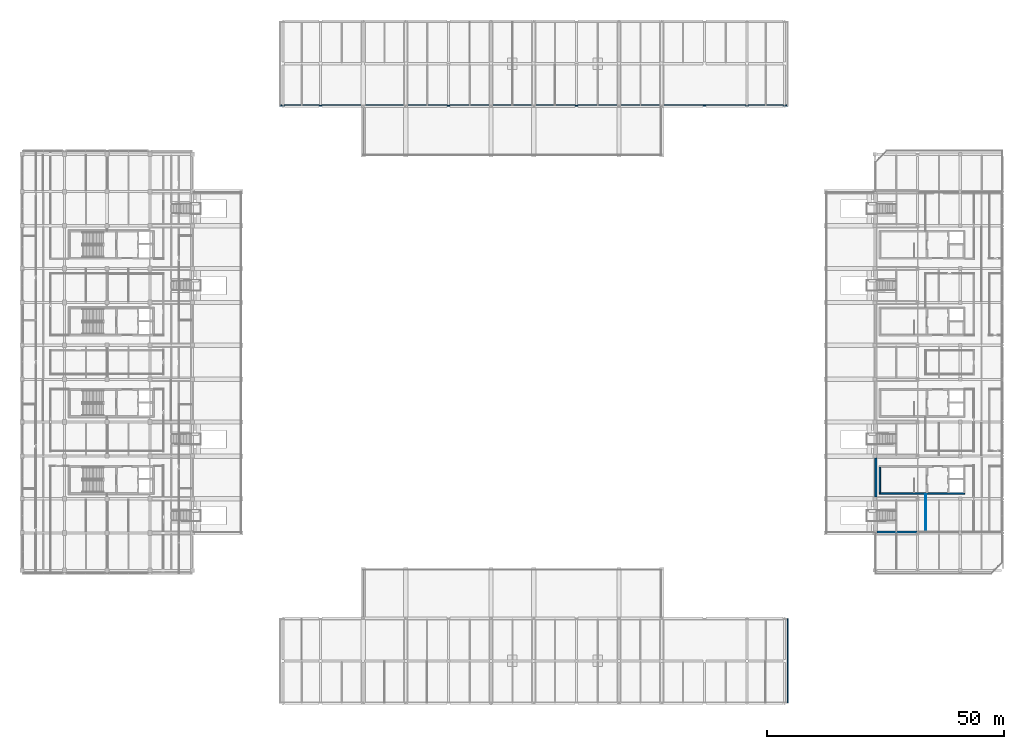
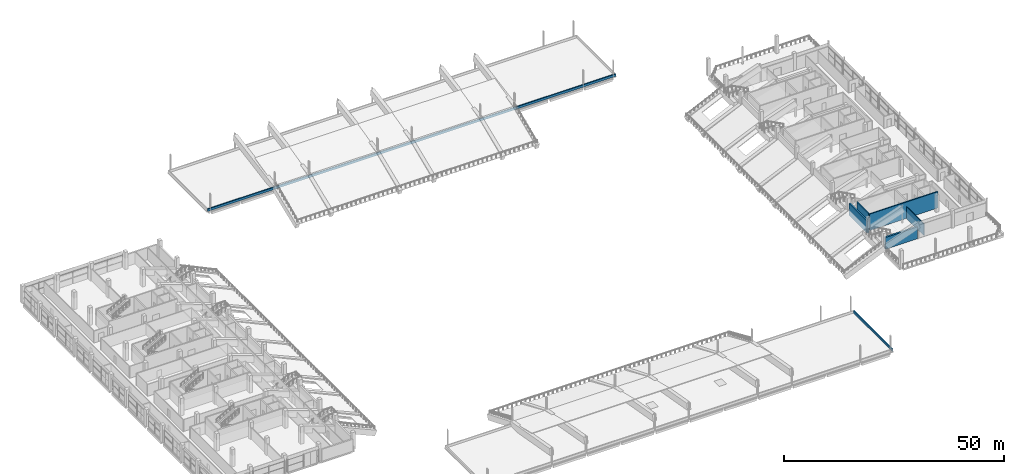
# One storey, part 52 of 66: 7 walls.
"""IFC4 building model written with IfcOpenShell, lengths in metres."""

from ifc_helpers import new_model, si_unit, direction, frame, frame_2d, origin, place, context, subcontext, project, spatial, rectangle, extrude, material, layer, layer_set, type_object, element, save


model = new_model("IFC4")

# Units and contexts
model_context = context("Model", 3, precision=1e-05, world=origin(), true_north=direction((0.0, 1.0)))
body_context = subcontext(model_context, "Body", "Model", "MODEL_VIEW")
ifc_project = project(units=[si_unit("LENGTHUNIT", "METRE"), si_unit("AREAUNIT", "SQUARE_METRE"), si_unit("VOLUMEUNIT", "CUBIC_METRE"), si_unit("PLANEANGLEUNIT", "RADIAN"), si_unit("MASSUNIT", "GRAM", prefix="KILO"), si_unit("THERMODYNAMICTEMPERATUREUNIT", "KELVIN"), si_unit("POWERUNIT", "WATT")], contexts=[model_context])

# Site, building, storey
site_placement = place(None, origin())
site = spatial("IfcSite", under=ifc_project, at=site_placement, CompositionType="ELEMENT")
building_placement = place(site_placement, origin())
building = spatial("IfcBuilding", under=site, at=building_placement, Name="Sindhuravela Promenade Stadium", CompositionType="ELEMENT")
storey_placement = place(building_placement, frame((0.0, 0.0, 19.199951171875)))
storey = spatial("IfcBuildingStorey", under=building, at=storey_placement, Name="L04", CompositionType="ELEMENT", Elevation=19.199951171875)

# Walls
ifc_material_1 = material(Name="Terracotta clay brick masonry (15 MPa)", Category="masonry")
ifc_layer_1 = layer(ifc_material_1, 0.39990234375)
ifc_layer_set_1 = layer_set([ifc_layer_1], Name="Terracotta clay brick masonry (15 MPa)")
wall_type_1 = type_object("IfcWallType", Name="EX-WL-BRK400", PredefinedType="SOLIDWALL", material=ifc_layer_set_1)
wall_1_placement = place(storey_placement, frame((180.199951171875, 52.580078125, 0.0), z_axis=(0.0, 0.0, 1.0), x_axis=(0.0, 1.0, 0.0)))
element("IfcWall", 1, at=wall_1_placement, inside=storey, type_object=wall_type_1, Name="Exterior masonry wall EW03 EAST L04", PredefinedType="SOLIDWALL", context=body_context, shape_type="SweptSolid", body=[
    extrude(rectangle(XDim=8.239990234375, YDim=0.39990234375, at=frame_2d((4.1201171875, 0.0))), origin(), (0.0, 0.0, 1.0), 3.280029296875),
])
ifc_layer_2 = layer(ifc_material_1, 0.4599609375)
ifc_layer_set_2 = layer_set([ifc_layer_2], Name="Terracotta clay brick masonry (15 MPa)")
wall_type_2 = type_object("IfcWallType", Name="EX-WL-BRK460", PredefinedType="SOLIDWALL", material=ifc_layer_set_2)
wall_2_placement = place(storey_placement, frame((188.844970703125, 45.199951171875, 0.0), z_axis=(0.0, 0.0, 1.0), x_axis=(-1.0, 0.0, 0.0)))
element("IfcWall", 2, at=wall_2_placement, inside=storey, type_object=wall_type_2, Name="Exterior masonry wall EW01 EAST L04", PredefinedType="SOLIDWALL", context=body_context, shape_type="SweptSolid", body=[
    extrude(rectangle(XDim=8.465087890625, YDim=0.4599609375, at=frame_2d((4.232421875, 0.0))), origin(), (0.0, 0.0, 1.0), 3.280029296875),
])
ifc_material_2 = material(Name="Dholpur sandstone ashlar (45 MPa)", Category="masonry")
ifc_layer_3 = layer(ifc_material_2, 0.25)
ifc_layer_set_3 = layer_set([ifc_layer_3], Name="Dholpur sandstone ashlar (45 MPa)")
wall_type_3 = type_object("IfcWallType", Name="EX-WL-PAR250", PredefinedType="PARAPET", material=ifc_layer_set_3)
wall_3_placement = place(storey_placement, frame((161.590087890625, 26.840087890625, 0.0), z_axis=(0.0, 0.0, 1.0), x_axis=(0.0, -1.0, 0.0)))
element("IfcWall", 3, at=wall_3_placement, inside=storey, type_object=wall_type_3, Name="Maintenance roof parapet SOUTH 13", PredefinedType="PARAPET", context=body_context, shape_type="SweptSolid", body=[
    extrude(rectangle(XDim=17.68017578125, YDim=0.25, at=frame_2d((8.840087890625, 0.0))), origin(), (0.0, 0.0, 1.0), 0.650146484375),
])
ifc_layer_4 = layer(ifc_material_1, 0.27001953125)
ifc_layer_set_4 = layer_set([ifc_layer_4], Name="Terracotta clay brick masonry (15 MPa)")
wall_type_4 = type_object("IfcWallType", Name="EX-WL-PAR270", PredefinedType="PARAPET", material=ifc_layer_set_4)
wall_4_placement = place(storey_placement, frame((161.590087890625, 135.159912109375, 0.0), z_axis=(0.0, 0.0, 1.0), x_axis=(-1.0, 0.0, 0.0)))
element("IfcWall", 4, at=wall_4_placement, inside=storey, type_object=wall_type_4, Name="Maintenance roof parapet NORTH 10", PredefinedType="PARAPET", context=body_context, shape_type="SweptSolid", body=[
    extrude(rectangle(XDim=107.18017578125, YDim=0.27001953125, at=frame_2d((53.590087890625, 0.0))), origin(), (0.0, 0.0, 1.0), 0.650146484375),
])
ifc_material_3 = material(Name="Fire-rated gypsum partition board", Category="gypsum")
ifc_layer_5 = layer(ifc_material_3, 0.14990234375)
ifc_layer_set_5 = layer_set([ifc_layer_5], Name="Fire-rated gypsum partition board")
wall_type_5 = type_object("IfcWallType", Name="IN-WL-PAR150", PredefinedType="PARTITIONING", material=ifc_layer_set_5)
wall_5_placement = place(storey_placement, frame((190.7099609375, 45.239990234375, 0.0), z_axis=(0.0, 0.0, 1.0), x_axis=(0.0, 1.0, 0.0)))
element("IfcWall", 5, at=wall_5_placement, inside=storey, type_object=wall_type_5, Name="Interior partition IW04 EAST L04", PredefinedType="PARTITIONING", context=body_context, shape_type="SweptSolid", body=[
    extrude(rectangle(XDim=7.9580078125, YDim=0.14990234375, at=frame_2d((3.97900390625, 0.0))), origin(), (0.0, 0.0, 1.0), 3.280029296875),
])
ifc_material_4 = material(Name="Concrete M50", Category="concrete")
ifc_layer_6 = layer(ifc_material_4, 0.300048828125)
ifc_layer_set_6 = layer_set([ifc_layer_6], Name="Concrete M50")
wall_type_6 = type_object("IfcWallType", Name="RC-SW-300", PredefinedType="SHEAR", material=ifc_layer_set_6)
wall_6_placement = place(storey_placement, frame((180.89990234375, 53.35009765625, 0.0), z_axis=(0.0, 0.0, 1.0), x_axis=(1.0, 0.0, 0.0)))
element("IfcWall", 6, at=wall_6_placement, inside=storey, type_object=wall_type_6, Name="Core shear wall C05-S (L04)", PredefinedType="SHEAR", context=body_context, shape_type="SweptSolid", body=[
    extrude(rectangle(XDim=18.0, YDim=0.300048828125, at=frame_2d((9.0, 0.0))), origin(), (0.0, 0.0, 1.0), 4.554931640625),
])
wall_7_placement = place(storey_placement, frame((181.050048828125, 58.89990234375, 0.0), z_axis=(0.0, 0.0, 1.0), x_axis=(0.0, -1.0, 0.0)))
element("IfcWall", 7, at=wall_7_placement, inside=storey, type_object=wall_type_6, Name="Core shear wall C05-W (L04)", PredefinedType="SHEAR", context=body_context, shape_type="SweptSolid", body=[
    extrude(rectangle(XDim=5.39990234375, YDim=0.300048828125, at=frame_2d((2.699951171875, 0.0))), origin(), (0.0, 0.0, 1.0), 4.554931640625),
])

save(model, "model.ifc")
